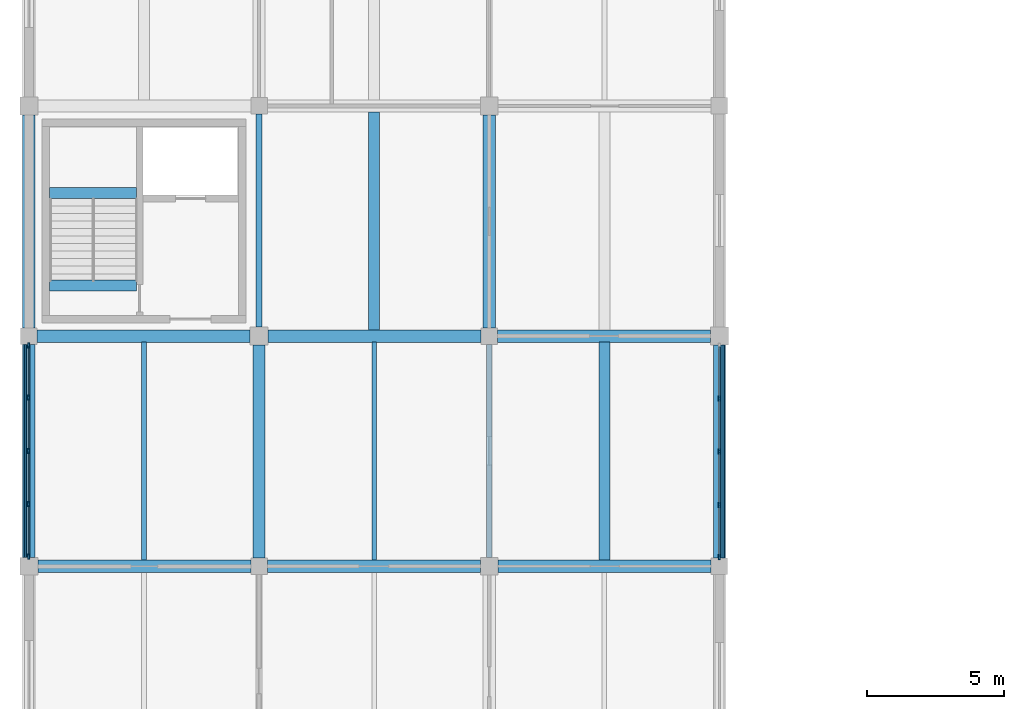
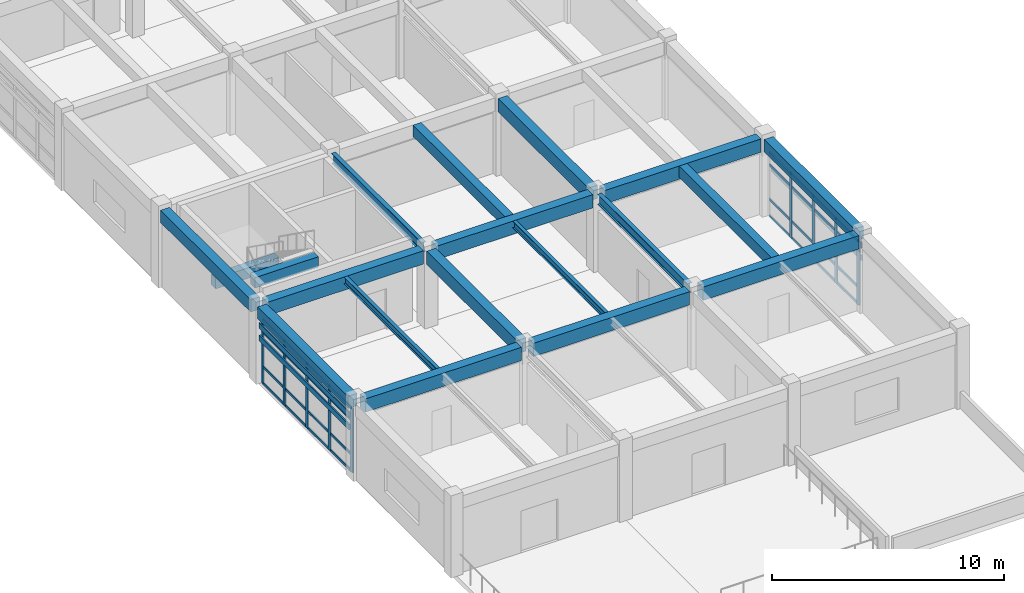
# One storey, part 10 of 74: 45 members, 19 beams, 2 elements without a shape of their own.
"""IFC4 building model written with IfcOpenShell, lengths in metres."""

from ifc_helpers import new_model, si_unit, direction, frame, origin, origin_2d, place, context, subcontext, project, spatial, rectangle, i_section, extrude, material, layer, layer_set, material_profile, profile_set, type_object, element, aggregate, save


model = new_model("IFC4")

# Units and contexts
model_context = context("Model", 3, precision=1e-05, world=origin(), true_north=direction((0.0, 1.0)))
body_context = subcontext(model_context, "Body", "Model", "MODEL_VIEW")
ifc_project = project(units=[si_unit("LENGTHUNIT", "METRE"), si_unit("AREAUNIT", "SQUARE_METRE"), si_unit("VOLUMEUNIT", "CUBIC_METRE"), si_unit("PLANEANGLEUNIT", "RADIAN"), si_unit("MASSUNIT", "GRAM", prefix="KILO")], contexts=[model_context])

# Site, building, storey
site_placement = place(None, origin())
site = spatial("IfcSite", under=ifc_project, at=site_placement, CompositionType="ELEMENT")
building_placement = place(site_placement, origin())
building = spatial("IfcBuilding", under=site, at=building_placement, Name="Porcellanite Civic Hall", CompositionType="ELEMENT")
storey_placement = place(building_placement, frame((0.0, 0.0, 14.760009765625)))
storey = spatial("IfcBuildingStorey", under=building, at=storey_placement, Name="L03", CompositionType="ELEMENT", Elevation=14.760009765625)

# Beams
ifc_material_1 = material(Name="Concrete N50 (50 MPa)", Category="concrete")
ifc_material_profile_1 = material_profile(ifc_material_1, rectangle(XDim=0.39990234375, YDim=0.550048828125, at=origin_2d()), Name="RC-400x550")
ifc_profile_set_1 = profile_set([ifc_material_profile_1], Name="Concrete N50 (50 MPa)")
beam_type_1 = type_object("IfcBeamType", Name="BM-RC550", PredefinedType="JOIST", material=ifc_profile_set_1)
for number, where, z_axis, x_axis, name in (
    (1, (9.160400390625, 38.824951171875, 1.705078125), (1.0, 0.0, 0.0), (0.0, 1.0, 0.0), "Stair landing beam C1 L03"),
    (2, (9.160400390625, 35.449951171875, 3.794921875), (1.0, 0.0, 0.0), (0.0, 1.0, 0.0), "Stair header beam C1 L03"),
):
    element("IfcBeam", number, at=place(storey_placement, frame(where, z_axis=z_axis, x_axis=x_axis)), inside=storey, type_object=beam_type_1, Name=name, PredefinedType="JOIST", context=body_context, shape_type="SweptSolid", body=[
        extrude(rectangle(XDim=0.39990234375, YDim=0.550048828125, at=origin_2d()), origin(), (0.0, 0.0, 1.0), 3.1591796875),
    ])
ifc_material_2 = material(Name="Concrete N50 (50 MPa)", Category="concrete")
ifc_material_profile_2 = material_profile(ifc_material_2, rectangle(XDim=0.39990234375, YDim=0.60009765625, at=origin_2d()), Name="RC-400x600")
ifc_profile_set_2 = profile_set([ifc_material_profile_2], Name="Concrete N50 (50 MPa)")
beam_type_2 = type_object("IfcBeamType", Name="BM-RC600", PredefinedType="JOIST", material=ifc_profile_set_2)
for number, where, z_axis, x_axis, name in (
    (3, (21.0, 33.824462890625, 3.77001953125), (0.0, 1.0, 0.0), (-1.0, 0.0, 0.0), "Secondary joist L03 3-5"),
    (4, (29.39990234375, 25.424560546875, 3.77001953125), (0.0, 1.0, 0.0), (-1.0, 0.0, 0.0), "Secondary joist L03 4-4"),
):
    element("IfcBeam", number, at=place(storey_placement, frame(where, z_axis=z_axis, x_axis=x_axis)), inside=storey, type_object=beam_type_2, Name=name, PredefinedType="JOIST", context=body_context, shape_type="SweptSolid", body=[
        extrude(rectangle(XDim=0.39990234375, YDim=0.60009765625, at=origin_2d()), origin(), (0.0, 0.0, 1.0), 7.950927734375),
    ])
ifc_material_3 = material(Name="Concrete N50 (50 MPa)", Category="concrete")
ifc_material_profile_3 = material_profile(ifc_material_3, rectangle(XDim=0.449951171875, YDim=0.64990234375, at=origin_2d()), Name="RC-450x650")
ifc_profile_set_3 = profile_set([ifc_material_profile_3], Name="Concrete N50 (50 MPa)")
beam_type_3 = type_object("IfcBeamType", Name="BM-RC650", PredefinedType="SPANDREL", material=ifc_profile_set_3)
for number, where, z_axis, x_axis, name in (
    (5, (8.39990234375, 25.5244140625, 3.744873046875), (0.0, 1.0, 0.0), (-1.0, 0.0, 0.0), "Beam Y L03 2-4"),
    (6, (8.39990234375, 33.8994140625, 3.744873046875), (0.0, 1.0, 0.0), (-1.0, 0.0, 0.0), "Beam Y L03 2-5"),
):
    element("IfcBeam", number, at=place(storey_placement, frame(where, z_axis=z_axis, x_axis=x_axis)), inside=storey, type_object=beam_type_3, Name=name, PredefinedType="SPANDREL", context=body_context, shape_type="SweptSolid", body=[
        extrude(rectangle(XDim=0.449951171875, YDim=0.64990234375, at=origin_2d()), origin(), (0.0, 0.0, 1.0), 7.776123046875),
    ])
beam_1_placement = place(storey_placement, frame((33.60009765625, 25.49951171875, 3.744873046875), z_axis=(0.0, 1.0, 0.0), x_axis=(-1.0, 0.0, 0.0)))
element("IfcBeam", 7, at=beam_1_placement, inside=storey, type_object=beam_type_3, Name="Beam Y L03 5-4", PredefinedType="SPANDREL", context=body_context, shape_type="SweptSolid", body=[
    extrude(rectangle(XDim=0.449951171875, YDim=0.64990234375, at=origin_2d()), origin(), (0.0, 0.0, 1.0), 7.77587890625),
])
ifc_material_4 = material(Name="Concrete N50 (50 MPa)", Category="concrete")
ifc_material_profile_4 = material_profile(ifc_material_4, rectangle(XDim=0.449951171875, YDim=0.699951171875, at=origin_2d()), Name="RC-450x700")
ifc_profile_set_4 = profile_set([ifc_material_profile_4], Name="Concrete N50 (50 MPa)")
beam_type_4 = type_object("IfcBeamType", Name="BM-RC700", PredefinedType="BEAM", material=ifc_profile_set_4)
beam_2_placement = place(storey_placement, frame((8.724609375, 25.199951171875, 3.719970703125), z_axis=(1.0, 0.0, 0.0), x_axis=(0.0, 1.0, 0.0)))
element("IfcBeam", 8, at=beam_2_placement, inside=storey, type_object=beam_type_4, Name="Beam X L03 2-4", PredefinedType="BEAM", context=body_context, shape_type="SweptSolid", body=[
    extrude(rectangle(XDim=0.449951171875, YDim=0.699951171875, at=origin_2d()), origin(), (0.0, 0.0, 1.0), 7.77587890625),
])
beam_3_placement = place(storey_placement, frame((8.699462890625, 33.60009765625, 3.719970703125), z_axis=(1.0, 0.0, 0.0), x_axis=(0.0, 1.0, 0.0)))
element("IfcBeam", 9, at=beam_3_placement, inside=storey, type_object=beam_type_4, Name="Beam X L03 2-5", PredefinedType="BEAM", context=body_context, shape_type="SweptSolid", body=[
    extrude(rectangle(XDim=0.449951171875, YDim=0.699951171875, at=origin_2d()), origin(), (0.0, 0.0, 1.0), 7.776123046875),
])
for number, where, z_axis, x_axis, name in (
    (10, (17.099609375, 25.199951171875, 3.719970703125), (1.0, 0.0, 0.0), (0.0, 1.0, 0.0), "Beam X L03 3-4"),
    (11, (17.12451171875, 33.60009765625, 3.719970703125), (1.0, 0.0, 0.0), (0.0, 1.0, 0.0), "Beam X L03 3-5"),
):
    element("IfcBeam", number, at=place(storey_placement, frame(where, z_axis=z_axis, x_axis=x_axis)), inside=storey, type_object=beam_type_4, Name=name, PredefinedType="BEAM", context=body_context, shape_type="SweptSolid", body=[
        extrude(rectangle(XDim=0.449951171875, YDim=0.699951171875, at=origin_2d()), origin(), (0.0, 0.0, 1.0), 7.77587890625),
    ])
beam_4_placement = place(storey_placement, frame((25.5244140625, 25.199951171875, 3.719970703125), z_axis=(1.0, 0.0, 0.0), x_axis=(0.0, 1.0, 0.0)))
element("IfcBeam", 12, at=beam_4_placement, inside=storey, type_object=beam_type_4, Name="Beam X L03 4-4", PredefinedType="BEAM", context=body_context, shape_type="SweptSolid", body=[
    extrude(rectangle(XDim=0.449951171875, YDim=0.699951171875, at=origin_2d()), origin(), (0.0, 0.0, 1.0), 7.776123046875),
])
for number, where, z_axis, x_axis, name in (
    (13, (25.49951171875, 33.60009765625, 3.719970703125), (1.0, 0.0, 0.0), (0.0, 1.0, 0.0), "Beam X L03 4-5"),
    (14, (16.800048828125, 25.49951171875, 3.719970703125), (0.0, 1.0, 0.0), (-1.0, 0.0, 0.0), "Beam Y L03 3-4"),
):
    element("IfcBeam", number, at=place(storey_placement, frame(where, z_axis=z_axis, x_axis=x_axis)), inside=storey, type_object=beam_type_4, Name=name, PredefinedType="BEAM", context=body_context, shape_type="SweptSolid", body=[
        extrude(rectangle(XDim=0.449951171875, YDim=0.699951171875, at=origin_2d()), origin(), (0.0, 0.0, 1.0), 7.77587890625),
    ])
beam_5_placement = place(storey_placement, frame((25.199951171875, 33.8994140625, 3.719970703125), z_axis=(0.0, 1.0, 0.0), x_axis=(-1.0, 0.0, 0.0)))
element("IfcBeam", 15, at=beam_5_placement, inside=storey, type_object=beam_type_4, Name="Beam Y L03 4-5", PredefinedType="BEAM", context=body_context, shape_type="SweptSolid", body=[
    extrude(rectangle(XDim=0.449951171875, YDim=0.699951171875, at=origin_2d()), origin(), (0.0, 0.0, 1.0), 7.776123046875),
])

# Curtain wall, members
ifc_material_5 = material(Name="Anodised aluminium and solar laminated glass", Category="aluminium")
ifc_layer = layer(ifc_material_5, 0.179931640625)
ifc_layer_set = layer_set([ifc_layer], Name="Anodised aluminium and solar laminated glass")
curtain_wall_type = type_object("IfcCurtainWallType", Name="CW-SYS05", PredefinedType="NOTDEFINED", material=ifc_layer_set)
curtain_wall_1_placement = place(storey_placement, origin())
curtain_wall_1 = element("IfcCurtainWall", 16, at=curtain_wall_1_placement, inside=storey, type_object=curtain_wall_type, Name="Curtain wall CW-183", PredefinedType="NOTDEFINED")
ifc_material_6 = material(Name="Anodised aluminium 6063-T6", Category="aluminium")
ifc_material_profile_5 = material_profile(ifc_material_6, rectangle(XDim=0.070068359375, YDim=0.199951171875, at=origin_2d()), Name="AL-70x200")
ifc_profile_set_5 = profile_set([ifc_material_profile_5], Name="Anodised aluminium 6063-T6")
member_type_1 = type_object("IfcMemberType", Name="CWM-05", PredefinedType="MULLION", material=ifc_profile_set_5)
member_1_placement = place(storey_placement, frame((8.39990234375, 25.56103515625, 0.0), z_axis=(0.0, 0.0, 1.0), x_axis=(-1.0, 0.0, 0.0)))
member_1 = element("IfcMember", 17, at=member_1_placement, type_object=member_type_1, Name="CW-183 mullion 1", PredefinedType="MULLION", context=body_context, shape_type="SweptSolid", body=[
    extrude(rectangle(XDim=0.070068359375, YDim=0.199951171875, at=origin_2d()), origin(), (0.0, 0.0, 1.0), 3.369873046875),
])
member_2_placement = place(storey_placement, frame((8.39990234375, 27.46923828125, 0.0), z_axis=(0.0, 0.0, 1.0), x_axis=(-1.0, 0.0, 0.0)))
member_2 = element("IfcMember", 18, at=member_2_placement, type_object=member_type_1, Name="CW-183 mullion 2", PredefinedType="MULLION", context=body_context, shape_type="SweptSolid", body=[
    extrude(rectangle(XDim=0.070068359375, YDim=0.199951171875, at=origin_2d()), origin(), (0.0, 0.0, 1.0), 3.369873046875),
])
member_3_placement = place(storey_placement, frame((8.39990234375, 29.41259765625, 0.0), z_axis=(0.0, 0.0, 1.0), x_axis=(-1.0, 0.0, 0.0)))
member_3 = element("IfcMember", 19, at=member_3_placement, type_object=member_type_1, Name="CW-183 mullion 3", PredefinedType="MULLION", context=body_context, shape_type="SweptSolid", body=[
    extrude(rectangle(XDim=0.070068359375, YDim=0.199951171875, at=origin_2d()), origin(), (0.0, 0.0, 1.0), 3.369873046875),
])
member_4_placement = place(storey_placement, frame((8.39990234375, 31.355712890625, 0.0), z_axis=(0.0, 0.0, 1.0), x_axis=(-1.0, 0.0, 0.0)))
member_4 = element("IfcMember", 20, at=member_4_placement, type_object=member_type_1, Name="CW-183 mullion 4", PredefinedType="MULLION", context=body_context, shape_type="SweptSolid", body=[
    extrude(rectangle(XDim=0.070068359375, YDim=0.199951171875, at=origin_2d()), origin(), (0.0, 0.0, 1.0), 3.369873046875),
])
member_5_placement = place(storey_placement, frame((8.39990234375, 33.263916015625, 0.0), z_axis=(0.0, 0.0, 1.0), x_axis=(-1.0, 0.0, 0.0)))
member_5 = element("IfcMember", 21, at=member_5_placement, type_object=member_type_1, Name="CW-183 mullion 5", PredefinedType="MULLION", context=body_context, shape_type="SweptSolid", body=[
    extrude(rectangle(XDim=0.070068359375, YDim=0.199951171875, at=origin_2d()), origin(), (0.0, 0.0, 1.0), 3.369873046875),
])

curtain_wall_2_placement = place(storey_placement, origin())
curtain_wall_2 = element("IfcCurtainWall", 22, at=curtain_wall_2_placement, inside=storey, type_object=curtain_wall_type, Name="Curtain wall CW-186", PredefinedType="NOTDEFINED")
member_6_placement = place(storey_placement, frame((33.60009765625, 31.330810546875, 0.0), z_axis=(0.0, 0.0, 1.0), x_axis=(1.0, 0.0, 0.0)))
member_6 = element("IfcMember", 23, at=member_6_placement, type_object=member_type_1, Name="CW-186 mullion 2", PredefinedType="MULLION", context=body_context, shape_type="SweptSolid", body=[
    extrude(rectangle(XDim=0.070068359375, YDim=0.199951171875, at=origin_2d()), origin(), (0.0, 0.0, 1.0), 3.369873046875),
])
member_7_placement = place(storey_placement, frame((33.60009765625, 29.387451171875, 0.0), z_axis=(0.0, 0.0, 1.0), x_axis=(1.0, 0.0, 0.0)))
member_7 = element("IfcMember", 24, at=member_7_placement, type_object=member_type_1, Name="CW-186 mullion 3", PredefinedType="MULLION", context=body_context, shape_type="SweptSolid", body=[
    extrude(rectangle(XDim=0.070068359375, YDim=0.199951171875, at=origin_2d()), origin(), (0.0, 0.0, 1.0), 3.369873046875),
])
member_8_placement = place(storey_placement, frame((33.60009765625, 27.4443359375, 0.0), z_axis=(0.0, 0.0, 1.0), x_axis=(1.0, 0.0, 0.0)))
member_8 = element("IfcMember", 25, at=member_8_placement, type_object=member_type_1, Name="CW-186 mullion 4", PredefinedType="MULLION", context=body_context, shape_type="SweptSolid", body=[
    extrude(rectangle(XDim=0.070068359375, YDim=0.199951171875, at=origin_2d()), origin(), (0.0, 0.0, 1.0), 3.369873046875),
])
member_9_placement = place(storey_placement, frame((33.60009765625, 25.535888671875, 0.0), z_axis=(0.0, 0.0, 1.0), x_axis=(1.0, 0.0, 0.0)))
member_9 = element("IfcMember", 26, at=member_9_placement, type_object=member_type_1, Name="CW-186 mullion 5", PredefinedType="MULLION", context=body_context, shape_type="SweptSolid", body=[
    extrude(rectangle(XDim=0.070068359375, YDim=0.199951171875, at=origin_2d()), origin(), (0.0, 0.0, 1.0), 3.369873046875),
])

# Member
ifc_material_7 = material(Name="Anodised aluminium 6063-T6", Category="aluminium")
ifc_material_profile_6 = material_profile(ifc_material_7, rectangle(XDim=0.06005859375, YDim=0.1298828125, at=origin_2d()), Name="AL-60x130")
ifc_profile_set_6 = profile_set([ifc_material_profile_6], Name="Anodised aluminium 6063-T6")
member_type_2 = type_object("IfcMemberType", Name="CWT-03", PredefinedType="USERDEFINED", material=ifc_profile_set_6)
member_10_placement = place(storey_placement, frame((8.39990234375, 25.595947265625, 0.030029296875), z_axis=(0.0, 1.0, 0.0), x_axis=(-1.0, 0.0, 0.0)))
member_10 = element("IfcMember", 27, at=member_10_placement, type_object=member_type_2, Name="CW-183 transom 1.1", ObjectType="TRANSOM", PredefinedType="USERDEFINED", context=body_context, shape_type="SweptSolid", body=[
    extrude(rectangle(XDim=0.06005859375, YDim=0.1298828125, at=origin_2d()), origin(), (0.0, 0.0, 1.0), 1.83837890625),
])

member_11_placement = place(storey_placement, frame((8.39990234375, 25.595947265625, 0.89990234375), z_axis=(0.0, 1.0, 0.0), x_axis=(-1.0, 0.0, 0.0)))
member_11 = element("IfcMember", 28, at=member_11_placement, type_object=member_type_2, Name="CW-183 transom 1.2", ObjectType="TRANSOM", PredefinedType="USERDEFINED", context=body_context, shape_type="SweptSolid", body=[
    extrude(rectangle(XDim=0.06005859375, YDim=0.1298828125, at=origin_2d()), origin(), (0.0, 0.0, 1.0), 1.83837890625),
])

member_12_placement = place(storey_placement, frame((8.39990234375, 25.595947265625, 2.719970703125), z_axis=(0.0, 1.0, 0.0), x_axis=(-1.0, 0.0, 0.0)))
member_12 = element("IfcMember", 29, at=member_12_placement, type_object=member_type_2, Name="CW-183 transom 1.3", ObjectType="TRANSOM", PredefinedType="USERDEFINED", context=body_context, shape_type="SweptSolid", body=[
    extrude(rectangle(XDim=0.06005859375, YDim=0.1298828125, at=origin_2d()), origin(), (0.0, 0.0, 1.0), 1.83837890625),
])

member_13_placement = place(storey_placement, frame((8.39990234375, 25.595947265625, 3.340087890625), z_axis=(0.0, 1.0, 0.0), x_axis=(-1.0, 0.0, 0.0)))
member_13 = element("IfcMember", 30, at=member_13_placement, type_object=member_type_2, Name="CW-183 transom 1.4", ObjectType="TRANSOM", PredefinedType="USERDEFINED", context=body_context, shape_type="SweptSolid", body=[
    extrude(rectangle(XDim=0.06005859375, YDim=0.1298828125, at=origin_2d()), origin(), (0.0, 0.0, 1.0), 1.83837890625),
])

member_14_placement = place(storey_placement, frame((8.39990234375, 27.504150390625, 0.030029296875), z_axis=(0.0, 1.0, 0.0), x_axis=(-1.0, 0.0, 0.0)))
member_14 = element("IfcMember", 31, at=member_14_placement, type_object=member_type_2, Name="CW-183 transom 2.1", ObjectType="TRANSOM", PredefinedType="USERDEFINED", context=body_context, shape_type="SweptSolid", body=[
    extrude(rectangle(XDim=0.06005859375, YDim=0.1298828125, at=origin_2d()), origin(), (0.0, 0.0, 1.0), 1.873291015625),
])

member_15_placement = place(storey_placement, frame((8.39990234375, 27.504150390625, 0.89990234375), z_axis=(0.0, 1.0, 0.0), x_axis=(-1.0, 0.0, 0.0)))
member_15 = element("IfcMember", 32, at=member_15_placement, type_object=member_type_2, Name="CW-183 transom 2.2", ObjectType="TRANSOM", PredefinedType="USERDEFINED", context=body_context, shape_type="SweptSolid", body=[
    extrude(rectangle(XDim=0.06005859375, YDim=0.1298828125, at=origin_2d()), origin(), (0.0, 0.0, 1.0), 1.873291015625),
])

member_16_placement = place(storey_placement, frame((8.39990234375, 27.504150390625, 2.719970703125), z_axis=(0.0, 1.0, 0.0), x_axis=(-1.0, 0.0, 0.0)))
member_16 = element("IfcMember", 33, at=member_16_placement, type_object=member_type_2, Name="CW-183 transom 2.3", ObjectType="TRANSOM", PredefinedType="USERDEFINED", context=body_context, shape_type="SweptSolid", body=[
    extrude(rectangle(XDim=0.06005859375, YDim=0.1298828125, at=origin_2d()), origin(), (0.0, 0.0, 1.0), 1.873291015625),
])

member_17_placement = place(storey_placement, frame((8.39990234375, 27.504150390625, 3.340087890625), z_axis=(0.0, 1.0, 0.0), x_axis=(-1.0, 0.0, 0.0)))
member_17 = element("IfcMember", 34, at=member_17_placement, type_object=member_type_2, Name="CW-183 transom 2.4", ObjectType="TRANSOM", PredefinedType="USERDEFINED", context=body_context, shape_type="SweptSolid", body=[
    extrude(rectangle(XDim=0.06005859375, YDim=0.1298828125, at=origin_2d()), origin(), (0.0, 0.0, 1.0), 1.873291015625),
])

member_18_placement = place(storey_placement, frame((8.39990234375, 29.447509765625, 0.030029296875), z_axis=(0.0, 1.0, 0.0), x_axis=(-1.0, 0.0, 0.0)))
member_18 = element("IfcMember", 35, at=member_18_placement, type_object=member_type_2, Name="CW-183 transom 3.1", ObjectType="TRANSOM", PredefinedType="USERDEFINED", context=body_context, shape_type="SweptSolid", body=[
    extrude(rectangle(XDim=0.06005859375, YDim=0.1298828125, at=origin_2d()), origin(), (0.0, 0.0, 1.0), 1.873291015625),
])

member_19_placement = place(storey_placement, frame((8.39990234375, 29.447509765625, 0.89990234375), z_axis=(0.0, 1.0, 0.0), x_axis=(-1.0, 0.0, 0.0)))
member_19 = element("IfcMember", 36, at=member_19_placement, type_object=member_type_2, Name="CW-183 transom 3.2", ObjectType="TRANSOM", PredefinedType="USERDEFINED", context=body_context, shape_type="SweptSolid", body=[
    extrude(rectangle(XDim=0.06005859375, YDim=0.1298828125, at=origin_2d()), origin(), (0.0, 0.0, 1.0), 1.873291015625),
])

member_20_placement = place(storey_placement, frame((8.39990234375, 29.447509765625, 2.719970703125), z_axis=(0.0, 1.0, 0.0), x_axis=(-1.0, 0.0, 0.0)))
member_20 = element("IfcMember", 37, at=member_20_placement, type_object=member_type_2, Name="CW-183 transom 3.3", ObjectType="TRANSOM", PredefinedType="USERDEFINED", context=body_context, shape_type="SweptSolid", body=[
    extrude(rectangle(XDim=0.06005859375, YDim=0.1298828125, at=origin_2d()), origin(), (0.0, 0.0, 1.0), 1.873291015625),
])

member_21_placement = place(storey_placement, frame((8.39990234375, 29.447509765625, 3.340087890625), z_axis=(0.0, 1.0, 0.0), x_axis=(-1.0, 0.0, 0.0)))
member_21 = element("IfcMember", 38, at=member_21_placement, type_object=member_type_2, Name="CW-183 transom 3.4", ObjectType="TRANSOM", PredefinedType="USERDEFINED", context=body_context, shape_type="SweptSolid", body=[
    extrude(rectangle(XDim=0.06005859375, YDim=0.1298828125, at=origin_2d()), origin(), (0.0, 0.0, 1.0), 1.873291015625),
])

member_22_placement = place(storey_placement, frame((8.39990234375, 31.390869140625, 0.030029296875), z_axis=(0.0, 1.0, 0.0), x_axis=(-1.0, 0.0, 0.0)))
member_22 = element("IfcMember", 39, at=member_22_placement, type_object=member_type_2, Name="CW-183 transom 4.1", ObjectType="TRANSOM", PredefinedType="USERDEFINED", context=body_context, shape_type="SweptSolid", body=[
    extrude(rectangle(XDim=0.06005859375, YDim=0.1298828125, at=origin_2d()), origin(), (0.0, 0.0, 1.0), 1.838134765625),
])

member_23_placement = place(storey_placement, frame((8.39990234375, 31.390869140625, 0.89990234375), z_axis=(0.0, 1.0, 0.0), x_axis=(-1.0, 0.0, 0.0)))
member_23 = element("IfcMember", 40, at=member_23_placement, type_object=member_type_2, Name="CW-183 transom 4.2", ObjectType="TRANSOM", PredefinedType="USERDEFINED", context=body_context, shape_type="SweptSolid", body=[
    extrude(rectangle(XDim=0.06005859375, YDim=0.1298828125, at=origin_2d()), origin(), (0.0, 0.0, 1.0), 1.838134765625),
])

member_24_placement = place(storey_placement, frame((8.39990234375, 31.390869140625, 2.719970703125), z_axis=(0.0, 1.0, 0.0), x_axis=(-1.0, 0.0, 0.0)))
member_24 = element("IfcMember", 41, at=member_24_placement, type_object=member_type_2, Name="CW-183 transom 4.3", ObjectType="TRANSOM", PredefinedType="USERDEFINED", context=body_context, shape_type="SweptSolid", body=[
    extrude(rectangle(XDim=0.06005859375, YDim=0.1298828125, at=origin_2d()), origin(), (0.0, 0.0, 1.0), 1.838134765625),
])

member_25_placement = place(storey_placement, frame((8.39990234375, 31.390869140625, 3.340087890625), z_axis=(0.0, 1.0, 0.0), x_axis=(-1.0, 0.0, 0.0)))
member_25 = element("IfcMember", 42, at=member_25_placement, type_object=member_type_2, Name="CW-183 transom 4.4", ObjectType="TRANSOM", PredefinedType="USERDEFINED", context=body_context, shape_type="SweptSolid", body=[
    extrude(rectangle(XDim=0.06005859375, YDim=0.1298828125, at=origin_2d()), origin(), (0.0, 0.0, 1.0), 1.838134765625),
])

aggregate(curtain_wall_1, [member_1, member_2, member_3, member_4, member_5, member_10, member_11, member_12, member_13, member_14, member_15, member_16, member_17, member_18, member_19, member_20, member_21, member_22, member_23, member_24, member_25])

member_26_placement = place(storey_placement, frame((33.60009765625, 33.2041015625, 0.030029296875), z_axis=(0.0, -1.0, 0.0), x_axis=(1.0, 0.0, 0.0)))
member_26 = element("IfcMember", 43, at=member_26_placement, type_object=member_type_2, Name="CW-186 transom 1.1", ObjectType="TRANSOM", PredefinedType="USERDEFINED", context=body_context, shape_type="SweptSolid", body=[
    extrude(rectangle(XDim=0.06005859375, YDim=0.1298828125, at=origin_2d()), origin(), (0.0, 0.0, 1.0), 1.83837890625),
])

member_27_placement = place(storey_placement, frame((33.60009765625, 33.2041015625, 0.89990234375), z_axis=(0.0, -1.0, 0.0), x_axis=(1.0, 0.0, 0.0)))
member_27 = element("IfcMember", 44, at=member_27_placement, type_object=member_type_2, Name="CW-186 transom 1.2", ObjectType="TRANSOM", PredefinedType="USERDEFINED", context=body_context, shape_type="SweptSolid", body=[
    extrude(rectangle(XDim=0.06005859375, YDim=0.1298828125, at=origin_2d()), origin(), (0.0, 0.0, 1.0), 1.83837890625),
])

member_28_placement = place(storey_placement, frame((33.60009765625, 33.2041015625, 2.719970703125), z_axis=(0.0, -1.0, 0.0), x_axis=(1.0, 0.0, 0.0)))
member_28 = element("IfcMember", 45, at=member_28_placement, type_object=member_type_2, Name="CW-186 transom 1.3", ObjectType="TRANSOM", PredefinedType="USERDEFINED", context=body_context, shape_type="SweptSolid", body=[
    extrude(rectangle(XDim=0.06005859375, YDim=0.1298828125, at=origin_2d()), origin(), (0.0, 0.0, 1.0), 1.83837890625),
])

member_29_placement = place(storey_placement, frame((33.60009765625, 33.2041015625, 3.340087890625), z_axis=(0.0, -1.0, 0.0), x_axis=(1.0, 0.0, 0.0)))
member_29 = element("IfcMember", 46, at=member_29_placement, type_object=member_type_2, Name="CW-186 transom 1.4", ObjectType="TRANSOM", PredefinedType="USERDEFINED", context=body_context, shape_type="SweptSolid", body=[
    extrude(rectangle(XDim=0.06005859375, YDim=0.1298828125, at=origin_2d()), origin(), (0.0, 0.0, 1.0), 1.83837890625),
])

member_30_placement = place(storey_placement, frame((33.60009765625, 31.295654296875, 0.030029296875), z_axis=(0.0, -1.0, 0.0), x_axis=(1.0, 0.0, 0.0)))
member_30 = element("IfcMember", 47, at=member_30_placement, type_object=member_type_2, Name="CW-186 transom 2.1", ObjectType="TRANSOM", PredefinedType="USERDEFINED", context=body_context, shape_type="SweptSolid", body=[
    extrude(rectangle(XDim=0.06005859375, YDim=0.1298828125, at=origin_2d()), origin(), (0.0, 0.0, 1.0), 1.873046875),
])

member_31_placement = place(storey_placement, frame((33.60009765625, 31.295654296875, 0.89990234375), z_axis=(0.0, -1.0, 0.0), x_axis=(1.0, 0.0, 0.0)))
member_31 = element("IfcMember", 48, at=member_31_placement, type_object=member_type_2, Name="CW-186 transom 2.2", ObjectType="TRANSOM", PredefinedType="USERDEFINED", context=body_context, shape_type="SweptSolid", body=[
    extrude(rectangle(XDim=0.06005859375, YDim=0.1298828125, at=origin_2d()), origin(), (0.0, 0.0, 1.0), 1.873046875),
])

member_32_placement = place(storey_placement, frame((33.60009765625, 31.295654296875, 2.719970703125), z_axis=(0.0, -1.0, 0.0), x_axis=(1.0, 0.0, 0.0)))
member_32 = element("IfcMember", 49, at=member_32_placement, type_object=member_type_2, Name="CW-186 transom 2.3", ObjectType="TRANSOM", PredefinedType="USERDEFINED", context=body_context, shape_type="SweptSolid", body=[
    extrude(rectangle(XDim=0.06005859375, YDim=0.1298828125, at=origin_2d()), origin(), (0.0, 0.0, 1.0), 1.873046875),
])

member_33_placement = place(storey_placement, frame((33.60009765625, 31.295654296875, 3.340087890625), z_axis=(0.0, -1.0, 0.0), x_axis=(1.0, 0.0, 0.0)))
member_33 = element("IfcMember", 50, at=member_33_placement, type_object=member_type_2, Name="CW-186 transom 2.4", ObjectType="TRANSOM", PredefinedType="USERDEFINED", context=body_context, shape_type="SweptSolid", body=[
    extrude(rectangle(XDim=0.06005859375, YDim=0.1298828125, at=origin_2d()), origin(), (0.0, 0.0, 1.0), 1.873046875),
])

member_34_placement = place(storey_placement, frame((33.60009765625, 29.3525390625, 0.030029296875), z_axis=(0.0, -1.0, 0.0), x_axis=(1.0, 0.0, 0.0)))
member_34 = element("IfcMember", 51, at=member_34_placement, type_object=member_type_2, Name="CW-186 transom 3.1", ObjectType="TRANSOM", PredefinedType="USERDEFINED", context=body_context, shape_type="SweptSolid", body=[
    extrude(rectangle(XDim=0.06005859375, YDim=0.1298828125, at=origin_2d()), origin(), (0.0, 0.0, 1.0), 1.873291015625),
])

member_35_placement = place(storey_placement, frame((33.60009765625, 29.3525390625, 0.89990234375), z_axis=(0.0, -1.0, 0.0), x_axis=(1.0, 0.0, 0.0)))
member_35 = element("IfcMember", 52, at=member_35_placement, type_object=member_type_2, Name="CW-186 transom 3.2", ObjectType="TRANSOM", PredefinedType="USERDEFINED", context=body_context, shape_type="SweptSolid", body=[
    extrude(rectangle(XDim=0.06005859375, YDim=0.1298828125, at=origin_2d()), origin(), (0.0, 0.0, 1.0), 1.873291015625),
])

member_36_placement = place(storey_placement, frame((33.60009765625, 29.3525390625, 2.719970703125), z_axis=(0.0, -1.0, 0.0), x_axis=(1.0, 0.0, 0.0)))
member_36 = element("IfcMember", 53, at=member_36_placement, type_object=member_type_2, Name="CW-186 transom 3.3", ObjectType="TRANSOM", PredefinedType="USERDEFINED", context=body_context, shape_type="SweptSolid", body=[
    extrude(rectangle(XDim=0.06005859375, YDim=0.1298828125, at=origin_2d()), origin(), (0.0, 0.0, 1.0), 1.873291015625),
])

member_37_placement = place(storey_placement, frame((33.60009765625, 29.3525390625, 3.340087890625), z_axis=(0.0, -1.0, 0.0), x_axis=(1.0, 0.0, 0.0)))
member_37 = element("IfcMember", 54, at=member_37_placement, type_object=member_type_2, Name="CW-186 transom 3.4", ObjectType="TRANSOM", PredefinedType="USERDEFINED", context=body_context, shape_type="SweptSolid", body=[
    extrude(rectangle(XDim=0.06005859375, YDim=0.1298828125, at=origin_2d()), origin(), (0.0, 0.0, 1.0), 1.873291015625),
])

member_38_placement = place(storey_placement, frame((33.60009765625, 27.4091796875, 0.030029296875), z_axis=(0.0, -1.0, 0.0), x_axis=(1.0, 0.0, 0.0)))
member_38 = element("IfcMember", 55, at=member_38_placement, type_object=member_type_2, Name="CW-186 transom 4.1", ObjectType="TRANSOM", PredefinedType="USERDEFINED", context=body_context, shape_type="SweptSolid", body=[
    extrude(rectangle(XDim=0.06005859375, YDim=0.1298828125, at=origin_2d()), origin(), (0.0, 0.0, 1.0), 1.838134765625),
])

member_39_placement = place(storey_placement, frame((33.60009765625, 27.4091796875, 0.89990234375), z_axis=(0.0, -1.0, 0.0), x_axis=(1.0, 0.0, 0.0)))
member_39 = element("IfcMember", 56, at=member_39_placement, type_object=member_type_2, Name="CW-186 transom 4.2", ObjectType="TRANSOM", PredefinedType="USERDEFINED", context=body_context, shape_type="SweptSolid", body=[
    extrude(rectangle(XDim=0.06005859375, YDim=0.1298828125, at=origin_2d()), origin(), (0.0, 0.0, 1.0), 1.838134765625),
])

member_40_placement = place(storey_placement, frame((33.60009765625, 27.4091796875, 2.719970703125), z_axis=(0.0, -1.0, 0.0), x_axis=(1.0, 0.0, 0.0)))
member_40 = element("IfcMember", 57, at=member_40_placement, type_object=member_type_2, Name="CW-186 transom 4.3", ObjectType="TRANSOM", PredefinedType="USERDEFINED", context=body_context, shape_type="SweptSolid", body=[
    extrude(rectangle(XDim=0.06005859375, YDim=0.1298828125, at=origin_2d()), origin(), (0.0, 0.0, 1.0), 1.838134765625),
])

member_41_placement = place(storey_placement, frame((33.60009765625, 27.4091796875, 3.340087890625), z_axis=(0.0, -1.0, 0.0), x_axis=(1.0, 0.0, 0.0)))
member_41 = element("IfcMember", 58, at=member_41_placement, type_object=member_type_2, Name="CW-186 transom 4.4", ObjectType="TRANSOM", PredefinedType="USERDEFINED", context=body_context, shape_type="SweptSolid", body=[
    extrude(rectangle(XDim=0.06005859375, YDim=0.1298828125, at=origin_2d()), origin(), (0.0, 0.0, 1.0), 1.838134765625),
])

aggregate(curtain_wall_2, [member_6, member_7, member_8, member_9, member_26, member_27, member_28, member_29, member_30, member_31, member_32, member_33, member_34, member_35, member_36, member_37, member_38, member_39, member_40, member_41])

# Beams
ifc_material_8 = material(Name="Steel Grade 350", Category="steel")
ifc_material_profile_7 = material_profile(ifc_material_8, i_section(OverallWidth=0.1708984375, OverallDepth=0.35595703125, WebThickness=0.00732421875, FlangeThickness=0.011474609375, FilletRadius=0.011474609375, at=origin_2d()), Name="360UB50.7")
ifc_profile_set_7 = profile_set([ifc_material_profile_7], Name="Steel Grade 350")
beam_type_5 = type_object("IfcBeamType", Name="JST-360UB51", PredefinedType="JOIST", material=ifc_profile_set_7)
beam_6_placement = place(storey_placement, frame((21.0, 25.424560546875, 3.89208984375), z_axis=(0.0, 1.0, 0.0), x_axis=(-1.0, 0.0, 0.0)))
element("IfcBeam", 59, at=beam_6_placement, inside=storey, type_object=beam_type_5, Name="Secondary joist L03 3-4", PredefinedType="JOIST", context=body_context, shape_type="SweptSolid", body=[
    extrude(i_section(OverallWidth=0.1708984375, OverallDepth=0.35595703125, WebThickness=0.00732421875, FlangeThickness=0.011474609375, FilletRadius=0.011474609375, at=origin_2d()), origin(), (0.0, 0.0, 1.0), 7.950927734375),
])
ifc_material_9 = material(Name="Steel Grade 350", Category="steel")
ifc_material_profile_8 = material_profile(ifc_material_9, i_section(OverallWidth=0.172119140625, OverallDepth=0.35888671875, WebThickness=0.008056640625, FlangeThickness=0.012939453125, FilletRadius=0.011474609375, at=origin_2d()), Name="360UB56.7")
ifc_profile_set_8 = profile_set([ifc_material_profile_8], Name="Steel Grade 350")
beam_type_6 = type_object("IfcBeamType", Name="JST-360UB57", PredefinedType="JOIST", material=ifc_profile_set_8)
beam_7_placement = place(storey_placement, frame((12.60009765625, 25.424560546875, 3.890380859375), z_axis=(0.0, 1.0, 0.0), x_axis=(-1.0, 0.0, 0.0)))
element("IfcBeam", 60, at=beam_7_placement, inside=storey, type_object=beam_type_6, Name="Secondary joist L03 2-4", PredefinedType="JOIST", context=body_context, shape_type="SweptSolid", body=[
    extrude(i_section(OverallWidth=0.172119140625, OverallDepth=0.35888671875, WebThickness=0.008056640625, FlangeThickness=0.012939453125, FilletRadius=0.011474609375, at=origin_2d()), origin(), (0.0, 0.0, 1.0), 7.950927734375),
])

# Members
ifc_material_10 = material(Name="Fluoropolymer bauxite-red aluminium 6063-T6", Category="aluminium")
ifc_material_profile_9 = material_profile(ifc_material_10, rectangle(XDim=0.070068359375, YDim=0.280029296875, at=origin_2d()), Name="AL-70x280")
ifc_profile_set_9 = profile_set([ifc_material_profile_9], Name="Fluoropolymer bauxite-red aluminium 6063-T6")
member_type_3 = type_object("IfcMemberType", Name="LV-BLD05", PredefinedType="USERDEFINED", material=ifc_profile_set_9)
for number, where, z_axis, x_axis, name in (
    (61, (8.262939453125, 25.5244140625, 3.070068359375), (0.0, 1.0, 0.0), (-1.0, 0.0, 0.0), "Cyclone sunshade louvre L03 W 1-3 1"),
    (62, (8.262939453125, 25.5244140625, 2.419921875), (0.0, 1.0, 0.0), (-1.0, 0.0, 0.0), "Cyclone sunshade louvre L03 W 1-3 2"),
):
    element("IfcMember", number, at=place(storey_placement, frame(where, z_axis=z_axis, x_axis=x_axis)), inside=storey, type_object=member_type_3, Name=name, ObjectType="LOUVRE BLADE", PredefinedType="USERDEFINED", context=body_context, shape_type="SweptSolid", body=[
        extrude(rectangle(XDim=0.070068359375, YDim=0.280029296875, at=origin_2d()), origin(), (0.0, 0.0, 1.0), 7.776123046875),
    ])
for number, where, z_axis, x_axis, name in (
    (63, (33.737060546875, 33.275390625, 3.070068359375), (0.0, -1.0, 0.0), (1.0, 0.0, 0.0), "Cyclone sunshade louvre L03 E 3-3 1"),
    (64, (33.737060546875, 33.275390625, 2.419921875), (0.0, -1.0, 0.0), (1.0, 0.0, 0.0), "Cyclone sunshade louvre L03 E 3-3 2"),
):
    element("IfcMember", number, at=place(storey_placement, frame(where, z_axis=z_axis, x_axis=x_axis)), inside=storey, type_object=member_type_3, Name=name, ObjectType="LOUVRE BLADE", PredefinedType="USERDEFINED", context=body_context, shape_type="SweptSolid", body=[
        extrude(rectangle(XDim=0.070068359375, YDim=0.280029296875, at=origin_2d()), origin(), (0.0, 0.0, 1.0), 7.77587890625),
    ])

# Beams
ifc_material_11 = material(Name="Steel Grade 350", Category="steel")
ifc_material_profile_10 = material_profile(ifc_material_11, i_section(OverallWidth=0.208984375, OverallDepth=0.528076171875, WebThickness=0.009521484375, FlangeThickness=0.01318359375, FilletRadius=0.013916015625, at=origin_2d()), Name="530UB82.0")
ifc_profile_set_10 = profile_set([ifc_material_profile_10], Name="Steel Grade 350")
beam_type_7 = type_object("IfcBeamType", Name="RAF-530UB82", PredefinedType="BEAM", material=ifc_profile_set_10)
beam_8_placement = place(storey_placement, frame((16.800048828125, 33.924560546875, 3.805908203125), z_axis=(0.0, 1.0, 0.0), x_axis=(-1.0, 0.0, 0.0)))
element("IfcBeam", 65, at=beam_8_placement, inside=storey, type_object=beam_type_7, Name="Beam Y L03 3-5", PredefinedType="BEAM", context=body_context, shape_type="SweptSolid", body=[
    extrude(i_section(OverallWidth=0.208984375, OverallDepth=0.528076171875, WebThickness=0.009521484375, FlangeThickness=0.01318359375, FilletRadius=0.013916015625, at=origin_2d()), origin(), (0.0, 0.0, 1.0), 7.77587890625),
])
beam_9_placement = place(storey_placement, frame((25.199951171875, 25.5244140625, 3.805908203125), z_axis=(0.0, 1.0, 0.0), x_axis=(-1.0, 0.0, 0.0)))
element("IfcBeam", 66, at=beam_9_placement, inside=storey, type_object=beam_type_7, Name="Beam Y L03 4-4", PredefinedType="BEAM", context=body_context, shape_type="SweptSolid", body=[
    extrude(i_section(OverallWidth=0.208984375, OverallDepth=0.528076171875, WebThickness=0.009521484375, FlangeThickness=0.01318359375, FilletRadius=0.013916015625, at=origin_2d()), origin(), (0.0, 0.0, 1.0), 7.776123046875),
])

save(model, "model.ifc")
